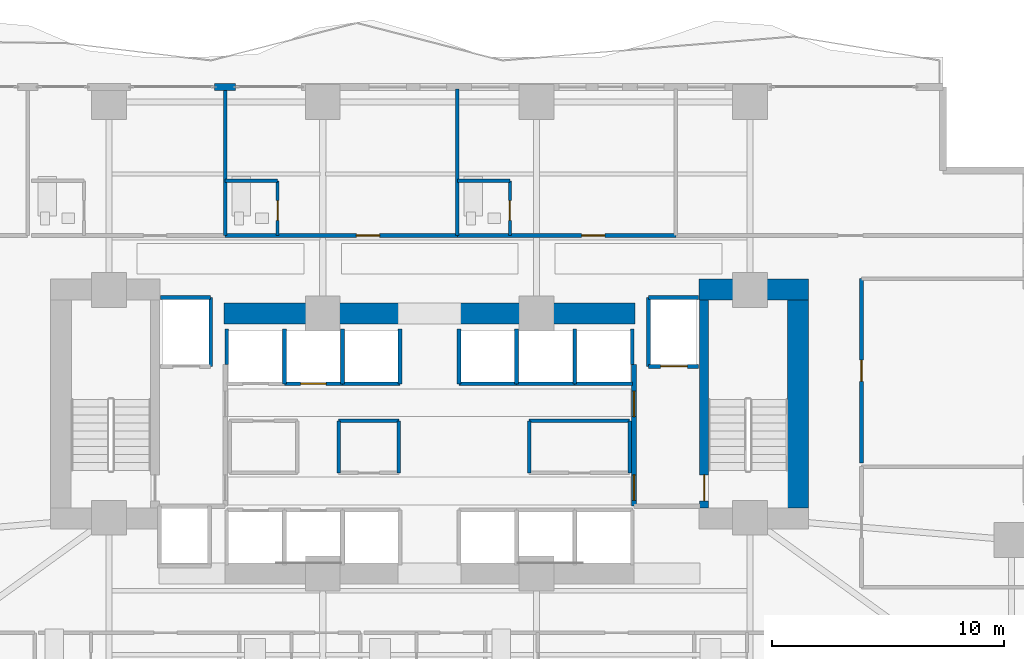
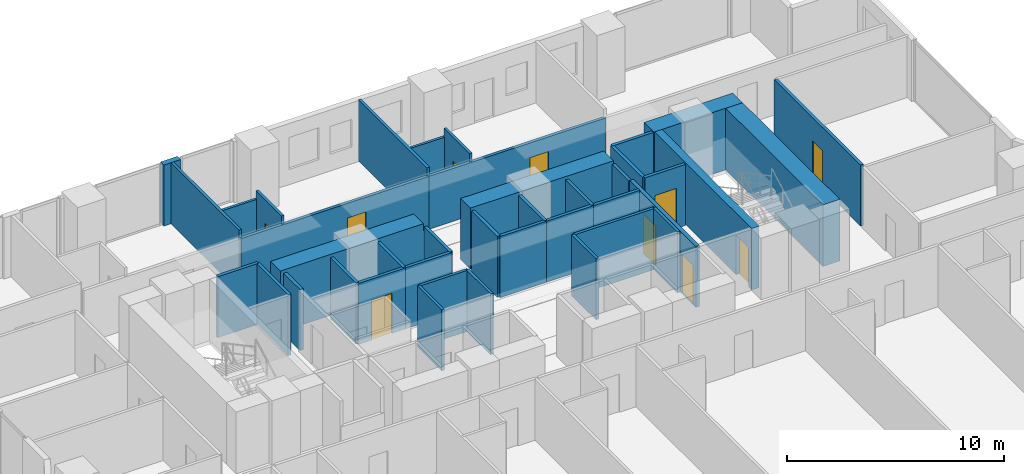
# One storey, part 21 of 29: 40 walls, 10 doors, 10 openings.
"""IFC4 building model written with IfcOpenShell, lengths in metres."""

from ifc_helpers import new_model, si_unit, direction, frame, frame_2d, origin, place, context, subcontext, project, spatial, rectangle, extrude, material, layer, layer_set, type_object, element, fill, save


model = new_model("IFC4")

# Units and contexts
model_context = context("Model", 3, precision=1e-05, world=origin(), true_north=direction((0.0, 1.0)))
body_context = subcontext(model_context, "Body", "Model", "MODEL_VIEW")
ifc_project = project(units=[si_unit("LENGTHUNIT", "METRE"), si_unit("AREAUNIT", "SQUARE_METRE"), si_unit("VOLUMEUNIT", "CUBIC_METRE"), si_unit("PLANEANGLEUNIT", "RADIAN"), si_unit("MASSUNIT", "GRAM", prefix="KILO")], contexts=[model_context])

# Site, building, storey
site_placement = place(None, origin())
site = spatial("IfcSite", under=ifc_project, at=site_placement, CompositionType="ELEMENT")
building_placement = place(site_placement, origin())
building = spatial("IfcBuilding", under=site, at=building_placement, Name="Zuhayl Quay Hotel", CompositionType="ELEMENT")
storey_placement = place(building_placement, frame((0.0, 0.0, 42.199951171875)))
storey = spatial("IfcBuildingStorey", under=building, at=storey_placement, Name="L09", CompositionType="ELEMENT", Elevation=42.199951171875)

# Walls
ifc_material_1 = material(Name="Concrete C70/85", Category="concrete")
ifc_layer_1 = layer(ifc_material_1, 0.89990234375, Name="Concrete C70/85", Category="concrete")
ifc_layer_set_1 = layer_set([ifc_layer_1], Name="Concrete C70/85")
wall_type_1 = type_object("IfcWallType", Name="WL_CORE_900", PredefinedType="SHEAR", material=ifc_layer_set_1)
wall_1_placement = place(storey_placement, frame((11.60009765625, 14.3798828125, 0.0), z_axis=(0.0, 0.0, 1.0), x_axis=(1.0, 0.0, 0.0)))
element("IfcWall", 1, at=wall_1_placement, inside=storey, type_object=wall_type_1, Name="L09 Core Shear Wall CW_NE", PredefinedType="SHEAR", context=body_context, shape_type="SweptSolid", body=[
    extrude(rectangle(XDim=4.7099609375, YDim=0.89990234375, at=frame_2d((2.35498046875, 0.0))), origin(), (0.0, 0.0, 1.0), 3.4599609375),
])
wall_2_placement = place(storey_placement, frame((15.860107421875, 4.969970703125, 0.0), z_axis=(0.0, 0.0, 1.0), x_axis=(0.0, 1.0, 0.0)))
element("IfcWall", 2, at=wall_2_placement, inside=storey, type_object=wall_type_1, Name="L09 Core Shear Wall CW_E", PredefinedType="SHEAR", context=body_context, shape_type="SweptSolid", body=[
    extrude(rectangle(XDim=8.9599609375, YDim=0.89990234375, at=frame_2d((4.47998046875, 0.0))), origin(), (0.0, 0.0, 1.0), 3.4599609375),
])
for number, where, z_axis, x_axis, name in (
    (3, (-8.85009765625, 13.35009765625, 0.0), (0.0, 0.0, 1.0), (1.0, 0.0, 0.0), "L09 Core Shear Wall CW_NC_W"),
    (4, (1.25, 13.35009765625, 0.0), (0.0, 0.0, 1.0), (1.0, 0.0, 0.0), "L09 Core Shear Wall CW_NC_E"),
):
    element("IfcWall", number, at=place(storey_placement, frame(where, z_axis=z_axis, x_axis=x_axis)), inside=storey, type_object=wall_type_1, Name=name, PredefinedType="SHEAR", context=body_context, shape_type="SweptSolid", body=[
        extrude(rectangle(XDim=7.60009765625, YDim=0.89990234375, at=frame_2d((3.800048828125, 0.0))), origin(), (0.0, 0.0, 1.0), 3.429931640625),
    ])
ifc_material_2 = material(Name="Precast concrete C45/55", Category="concrete")
ifc_layer_2 = layer(ifc_material_2, 0.300048828125, Name="Precast concrete C45/55", Category="concrete")
ifc_layer_set_2 = layer_set([ifc_layer_2], Name="Precast concrete C45/55")
wall_type_2 = type_object("IfcWallType", Name="WL_EXT_300", PredefinedType="STANDARD", material=ifc_layer_set_2)
wall_3_placement = place(storey_placement, frame((-9.25, 23.10009765625, 0.0), z_axis=(0.0, 0.0, 1.0), x_axis=(1.0, 0.0, 0.0)))
element("IfcWall", 5, at=wall_3_placement, inside=storey, type_object=wall_type_2, Name="L09 Exterior Precast Wall ENV_L09_N_EW4", PredefinedType="STANDARD", context=body_context, shape_type="SweptSolid", body=[
    extrude(rectangle(XDim=0.89990234375, YDim=0.300048828125, at=frame_2d((0.449951171875, 0.0))), origin(), (0.0, 0.0, 1.0), 3.429931640625),
])
ifc_material_3 = material(Name="Acoustic Gypsum Partition STC-58")
ifc_layer_3 = layer(ifc_material_3, 0.14990234375, Name="Acoustic Gypsum Partition STC-58")
ifc_layer_set_3 = layer_set([ifc_layer_3], Name="Acoustic Gypsum Partition STC-58")
wall_type_3 = type_object("IfcWallType", Name="WL_PART_150", PredefinedType="PARTITIONING", material=ifc_layer_set_3)
wall_4_placement = place(storey_placement, frame((-3.909912109375, 8.719970703125, 0.0), z_axis=(0.0, 0.0, 1.0), x_axis=(1.0, 0.0, 0.0)))
element("IfcWall", 6, at=wall_4_placement, inside=storey, type_object=wall_type_3, Name="L09 Partition IW_L09_CORE_BC_N", PredefinedType="PARTITIONING", context=body_context, shape_type="SweptSolid", body=[
    extrude(rectangle(XDim=2.58984375, YDim=0.14990234375, at=frame_2d((1.294921875, 0.0))), origin(), (0.0, 0.0, 1.0), 3.429931640625),
])
for number, where, z_axis, x_axis, name in (
    (7, (-3.909912109375, 6.47998046875, 0.0), (0.0, 0.0, 1.0), (0.0, 1.0, 0.0), "L09 Partition IW_L09_CORE_BC_W"),
    (8, (-1.320068359375, 6.47998046875, 0.0), (0.0, 0.0, 1.0), (0.0, 1.0, 0.0), "L09 Partition IW_L09_CORE_BC_E"),
):
    element("IfcWall", number, at=place(storey_placement, frame(where, z_axis=z_axis, x_axis=x_axis)), inside=storey, type_object=wall_type_3, Name=name, PredefinedType="PARTITIONING", context=body_context, shape_type="SweptSolid", body=[
        extrude(rectangle(XDim=2.239990234375, YDim=0.14990234375, at=frame_2d((1.1201171875, 0.0))), origin(), (0.0, 0.0, 1.0), 3.429931640625),
    ])
wall_5_placement = place(storey_placement, frame((4.2900390625, 8.719970703125, 0.0), z_axis=(0.0, 0.0, 1.0), x_axis=(1.0, 0.0, 0.0)))
element("IfcWall", 9, at=wall_5_placement, inside=storey, type_object=wall_type_3, Name="L09 Partition IW_L09_CORE_VL_N", PredefinedType="PARTITIONING", context=body_context, shape_type="SweptSolid", body=[
    extrude(rectangle(XDim=4.320068359375, YDim=0.14990234375, at=frame_2d((2.16015625, 0.0))), origin(), (0.0, 0.0, 1.0), 3.429931640625),
])
for number, where, z_axis, x_axis, name in (
    (10, (4.2900390625, 6.47998046875, 0.0), (0.0, 0.0, 1.0), (0.0, 1.0, 0.0), "L09 Partition IW_L09_CORE_VL_W"),
    (11, (8.610107421875, 6.47998046875, 0.0), (0.0, 0.0, 1.0), (0.0, 1.0, 0.0), "L09 Partition IW_L09_CORE_VL_E"),
):
    element("IfcWall", number, at=place(storey_placement, frame(where, z_axis=z_axis, x_axis=x_axis)), inside=storey, type_object=wall_type_3, Name=name, PredefinedType="PARTITIONING", context=body_context, shape_type="SweptSolid", body=[
        extrude(rectangle(XDim=2.239990234375, YDim=0.14990234375, at=frame_2d((1.1201171875, 0.0))), origin(), (0.0, 0.0, 1.0), 3.429931640625),
    ])
for number, where, z_axis, x_axis, name in (
    (12, (-8.800048828125, 16.699951171875, 0.0), (0.0, 0.0, 1.0), (0.0, 1.0, 0.0), "L09 Partition IW_L09_NU01B_E"),
    (13, (1.199951171875, 16.699951171875, 0.0), (0.0, 0.0, 1.0), (0.0, 1.0, 0.0), "L09 Partition IW_L09_NU02_E"),
):
    element("IfcWall", number, at=place(storey_placement, frame(where, z_axis=z_axis, x_axis=x_axis)), inside=storey, type_object=wall_type_3, Name=name, PredefinedType="PARTITIONING", context=body_context, shape_type="SweptSolid", body=[
        extrude(rectangle(XDim=6.320068359375, YDim=0.14990234375, at=frame_2d((3.16015625, 0.0))), origin(), (0.0, 0.0, 1.0), 3.429931640625),
    ])

# Wall, opening, door
ifc_layer_4 = layer(ifc_material_3, 0.159912109375, Name="Acoustic Gypsum Partition STC-58")
ifc_layer_set_4 = layer_set([ifc_layer_4], Name="Acoustic Gypsum Partition STC-58")
wall_type_4 = type_object("IfcWallType", Name="WL_PART_CORR_160", PredefinedType="PARTITIONING", material=ifc_layer_set_4)
wall_6_placement = place(storey_placement, frame((-8.800048828125, 16.699951171875, 0.0), z_axis=(0.0, 0.0, 1.0), x_axis=(1.0, 0.0, 0.0)))
wall_6 = element("IfcWall", 14, at=wall_6_placement, inside=storey, type_object=wall_type_4, Name="L09 Partition IW_L09_NU02_COR", PredefinedType="PARTITIONING", context=body_context, shape_type="SweptSolid", body=[
    extrude(rectangle(XDim=10.0, YDim=0.159912109375, at=frame_2d((5.0, 0.0))), origin(), (0.0, 0.0, 1.0), 2.97314453125),
])
opening_1_placement = place(wall_6_placement, frame((5.64990234375, 0.0, 0.0)))
opening_1 = element("IfcOpeningElement", 15, at=opening_1_placement, cuts=wall_6, Name="Opening D03L", PredefinedType="OPENING", context=body_context, shape_type="SweptSolid", body=[
    extrude(rectangle(XDim=1.0, YDim=2.14990234375, at=frame_2d((0.5, 1.074951171875))), frame((0.0, 0.08984375, 0.0), z_axis=(0.0, -1.0, 0.0), x_axis=(1.0, 0.0, 0.0)), (0.0, 0.0, 1.0), 0.179931640625),
])
ifc_material_4 = material(Name="Solid Walnut Acoustic Fire Door")
door_type_1 = type_object("IfcDoorType", Name="DR_SUITE_1000", OperationType="NOTDEFINED", PredefinedType="DOOR", material=ifc_material_4)
door_1_placement = place(opening_1_placement, origin())
door_1 = element("IfcDoor", 16, at=door_1_placement, inside=storey, type_object=door_type_1, Name="L09 Deluxe Gulf Guest Room L09-02 Entrance Door", OperationType="SINGLE_SWING_RIGHT", OverallHeight=2.14990234375, OverallWidth=1.0, PredefinedType="DOOR", context=body_context, shape_type="SweptSolid", body=[
    extrude(rectangle(XDim=1.0, YDim=2.14990234375, at=frame_2d((0.5, 1.074951171875))), frame((0.0, 0.02490234375, 0.0), z_axis=(0.0, -1.0, 0.0), x_axis=(1.0, 0.0, 0.0)), (0.0, 0.0, 1.0), 0.050048828125),
])
fill(opening_1, door_1)

wall_7_placement = place(storey_placement, frame((1.199951171875, 16.699951171875, 0.0), z_axis=(0.0, 0.0, 1.0), x_axis=(1.0, 0.0, 0.0)))
wall_7 = element("IfcWall", 17, at=wall_7_placement, inside=storey, type_object=wall_type_4, Name="L09 Partition IW_L09_NU03_COR", PredefinedType="PARTITIONING", context=body_context, shape_type="SweptSolid", body=[
    extrude(rectangle(XDim=9.400146484375, YDim=0.159912109375, at=frame_2d((4.7001953125, 0.0))), origin(), (0.0, 0.0, 1.0), 2.97314453125),
])
opening_2_placement = place(wall_7_placement, frame((5.35009765625, 0.0, 0.0)))
opening_2 = element("IfcOpeningElement", 18, at=opening_2_placement, cuts=wall_7, Name="Opening D03L", PredefinedType="OPENING", context=body_context, shape_type="SweptSolid", body=[
    extrude(rectangle(XDim=1.0, YDim=2.14990234375, at=frame_2d((0.5, 1.074951171875))), frame((0.0, 0.08984375, 0.0), z_axis=(0.0, -1.0, 0.0), x_axis=(1.0, 0.0, 0.0)), (0.0, 0.0, 1.0), 0.179931640625),
])
door_2_placement = place(opening_2_placement, origin())
door_2 = element("IfcDoor", 19, at=door_2_placement, inside=storey, type_object=door_type_1, Name="L09 Deluxe Gulf Guest Room L09-03 Entrance Door", OperationType="SINGLE_SWING_RIGHT", OverallHeight=2.14990234375, OverallWidth=1.0, PredefinedType="DOOR", context=body_context, shape_type="SweptSolid", body=[
    extrude(rectangle(XDim=1.0, YDim=2.14990234375, at=frame_2d((0.5, 1.074951171875))), frame((0.0, 0.02490234375, 0.0), z_axis=(0.0, -1.0, 0.0), x_axis=(1.0, 0.0, 0.0)), (0.0, 0.0, 1.0), 0.050048828125),
])
fill(opening_2, door_2)

wall_8_placement = place(storey_placement, frame((18.60009765625, 6.909912109375, 0.0), z_axis=(0.0, 0.0, 1.0), x_axis=(0.0, 1.0, 0.0)))
wall_8 = element("IfcWall", 20, at=wall_8_placement, inside=storey, type_object=wall_type_4, Name="L09 Partition IW_L09_EFLK_2_W", PredefinedType="PARTITIONING", context=body_context, shape_type="SweptSolid", body=[
    extrude(rectangle(XDim=7.940185546875, YDim=0.159912109375, at=frame_2d((3.97021484375, 0.0))), origin(), (0.0, 0.0, 1.0), 3.429931640625),
])
opening_3_placement = place(wall_8_placement, frame((3.510009765625, 0.0, 0.0)))
opening_3 = element("IfcOpeningElement", 21, at=opening_3_placement, cuts=wall_8, Name="Opening D05", PredefinedType="OPENING", context=body_context, shape_type="SweptSolid", body=[
    extrude(rectangle(XDim=0.919921875, YDim=2.1201171875, at=frame_2d((0.4599609375, 1.06005859375))), frame((0.0, 0.08984375, 0.0), z_axis=(0.0, -1.0, 0.0), x_axis=(1.0, 0.0, 0.0)), (0.0, 0.0, 1.0), 0.179931640625),
])
door_type_2 = type_object("IfcDoorType", Name="DR_INT_950", OperationType="NOTDEFINED", PredefinedType="DOOR", material=ifc_material_4)
door_3_placement = place(opening_3_placement, origin())
door_3 = element("IfcDoor", 22, at=door_3_placement, inside=storey, type_object=door_type_2, Name="L09 East Prow Reading Lounge L09 Door", OperationType="SINGLE_SWING_LEFT", OverallHeight=2.1201171875, OverallWidth=0.919921875, PredefinedType="DOOR", context=body_context, shape_type="SweptSolid", body=[
    extrude(rectangle(XDim=0.919921875, YDim=2.1201171875, at=frame_2d((0.4599609375, 1.06005859375))), frame((0.0, 0.02490234375, 0.0), z_axis=(0.0, -1.0, 0.0), x_axis=(1.0, 0.0, 0.0)), (0.0, 0.0, 1.0), 0.050048828125),
])
fill(opening_3, door_3)

ifc_material_5 = material(Name="Moisture-Resistant Sanitarychase Gypsum")
ifc_layer_5 = layer(ifc_material_5, 0.135009765625, Name="Moisture-Resistant Sanitarychase Gypsum")
ifc_layer_set_5 = layer_set([ifc_layer_5], Name="Moisture-Resistant Sanitarychase Gypsum")
wall_type_5 = type_object("IfcWallType", Name="WL_PART_PLUMB_150", PredefinedType="PLUMBINGWALL", material=ifc_layer_set_5)
wall_9_placement = place(storey_placement, frame((-6.5400390625, 16.699951171875, 0.0), z_axis=(0.0, 0.0, 1.0), x_axis=(0.0, 1.0, 0.0)))
wall_9 = element("IfcWall", 23, at=wall_9_placement, inside=storey, type_object=wall_type_5, Name="L09 Partition IW_L09_NU02_BE", PredefinedType="PLUMBINGWALL", context=body_context, shape_type="SweptSolid", body=[
    extrude(rectangle(XDim=2.360107421875, YDim=0.135009765625, at=frame_2d((1.18017578125, 0.0))), origin(), (0.0, 0.0, 1.0), 3.429931640625),
])
opening_4_placement = place(wall_9_placement, frame((0.64990234375, 0.0, 0.0)))
opening_4 = element("IfcOpeningElement", 24, at=opening_4_placement, cuts=wall_9, Name="Opening D04", PredefinedType="OPENING", context=body_context, shape_type="SweptSolid", body=[
    extrude(rectangle(XDim=0.85009765625, YDim=2.10009765625, at=frame_2d((0.425048828125, 1.050048828125))), frame((0.0, 0.077392578125, 0.0), z_axis=(0.0, -1.0, 0.0), x_axis=(1.0, 0.0, 0.0)), (0.0, 0.0, 1.0), 0.155029296875),
])
ifc_material_6 = material(Name="Moisture-Resistant Walnut Veneer")
door_type_3 = type_object("IfcDoorType", Name="DR_BATH_850", OperationType="NOTDEFINED", PredefinedType="DOOR", material=ifc_material_6)
door_4_placement = place(opening_4_placement, origin())
door_4 = element("IfcDoor", 25, at=door_4_placement, inside=storey, type_object=door_type_3, Name="L09 Deluxe Gulf Guest Room L09-02 En-Suite Door", OperationType="SINGLE_SWING_LEFT", OverallHeight=2.10009765625, OverallWidth=0.85009765625, PredefinedType="DOOR", context=body_context, shape_type="SweptSolid", body=[
    extrude(rectangle(XDim=0.85009765625, YDim=2.10009765625, at=frame_2d((0.425048828125, 1.050048828125))), frame((0.0, 0.02490234375, 0.0), z_axis=(0.0, -1.0, 0.0), x_axis=(1.0, 0.0, 0.0)), (0.0, 0.0, 1.0), 0.050048828125),
])
fill(opening_4, door_4)

wall_10_placement = place(storey_placement, frame((3.4599609375, 16.699951171875, 0.0), z_axis=(0.0, 0.0, 1.0), x_axis=(0.0, 1.0, 0.0)))
wall_10 = element("IfcWall", 26, at=wall_10_placement, inside=storey, type_object=wall_type_5, Name="L09 Partition IW_L09_NU03_BE", PredefinedType="PLUMBINGWALL", context=body_context, shape_type="SweptSolid", body=[
    extrude(rectangle(XDim=2.360107421875, YDim=0.135009765625, at=frame_2d((1.18017578125, 0.0))), origin(), (0.0, 0.0, 1.0), 3.429931640625),
])
opening_5_placement = place(wall_10_placement, frame((0.64990234375, 0.0, 0.0)))
opening_5 = element("IfcOpeningElement", 27, at=opening_5_placement, cuts=wall_10, Name="Opening D04", PredefinedType="OPENING", context=body_context, shape_type="SweptSolid", body=[
    extrude(rectangle(XDim=0.85009765625, YDim=2.10009765625, at=frame_2d((0.425048828125, 1.050048828125))), frame((0.0, 0.077392578125, 0.0), z_axis=(0.0, -1.0, 0.0), x_axis=(1.0, 0.0, 0.0)), (0.0, 0.0, 1.0), 0.155029296875),
])
door_5_placement = place(opening_5_placement, origin())
door_5 = element("IfcDoor", 28, at=door_5_placement, inside=storey, type_object=door_type_3, Name="L09 Deluxe Gulf Guest Room L09-03 En-Suite Door", OperationType="SINGLE_SWING_LEFT", OverallHeight=2.10009765625, OverallWidth=0.85009765625, PredefinedType="DOOR", context=body_context, shape_type="SweptSolid", body=[
    extrude(rectangle(XDim=0.85009765625, YDim=2.10009765625, at=frame_2d((0.425048828125, 1.050048828125))), frame((0.0, 0.02490234375, 0.0), z_axis=(0.0, -1.0, 0.0), x_axis=(1.0, 0.0, 0.0)), (0.0, 0.0, 1.0), 0.050048828125),
])
fill(opening_5, door_5)

# Walls
for number, where, z_axis, x_axis, name in (
    (29, (-8.800048828125, 19.06005859375, 0.0), (0.0, 0.0, 1.0), (1.0, 0.0, 0.0), "L09 Partition IW_L09_NU02_BN"),
    (30, (1.199951171875, 19.06005859375, 0.0), (0.0, 0.0, 1.0), (1.0, 0.0, 0.0), "L09 Partition IW_L09_NU03_BN"),
):
    element("IfcWall", number, at=place(storey_placement, frame(where, z_axis=z_axis, x_axis=x_axis)), inside=storey, type_object=wall_type_5, Name=name, PredefinedType="PLUMBINGWALL", context=body_context, shape_type="SweptSolid", body=[
        extrude(rectangle(XDim=2.260009765625, YDim=0.135009765625, at=frame_2d((1.1298828125, 0.0))), origin(), (0.0, 0.0, 1.0), 2.97314453125),
    ])

# Wall, opening, door
ifc_material_7 = material(Name="Gypsum Fireboard Assembly EI-90")
ifc_layer_6 = layer(ifc_material_7, 0.1650390625, Name="Gypsum Fireboard Assembly EI-90")
ifc_layer_set_6 = layer_set([ifc_layer_6], Name="Gypsum Fireboard Assembly EI-90")
wall_type_6 = type_object("IfcWallType", Name="WL_PART_SHAFT_160", PredefinedType="PARTITIONING", material=ifc_layer_set_6)
wall_11_placement = place(storey_placement, frame((9.419921875, 11.070068359375, 0.0), z_axis=(0.0, 0.0, 1.0), x_axis=(1.0, 0.0, 0.0)))
wall_11 = element("IfcWall", 31, at=wall_11_placement, inside=storey, type_object=wall_type_6, Name="L09 Partition IW_L09_SH_FL2_F", PredefinedType="PARTITIONING", context=body_context, shape_type="SweptSolid", body=[
    extrude(rectangle(XDim=2.16015625, YDim=0.1650390625, at=frame_2d((1.080078125, 0.0))), origin(), (0.0, 0.0, 1.0), 3.429931640625),
])
opening_6_placement = place(wall_11_placement, frame((0.530029296875, 0.0, 0.0)))
opening_6 = element("IfcOpeningElement", 32, at=opening_6_placement, cuts=wall_11, Name="Opening LD2", PredefinedType="OPENING", context=body_context, shape_type="SweptSolid", body=[
    extrude(rectangle(XDim=1.14990234375, YDim=2.25, at=frame_2d((0.574951171875, 1.125))), frame((0.0, 0.092529296875, 0.0), z_axis=(0.0, -1.0, 0.0), x_axis=(1.0, 0.0, 0.0)), (0.0, 0.0, 1.0), 0.18505859375),
])
ifc_material_8 = material(Name="Brushed Stainless Steel", Category="steel")
door_type_4 = type_object("IfcDoorType", Name="DR_LIFT_FF_1100", OperationType="SLIDING_TO_LEFT", PredefinedType="DOOR", material=ifc_material_8)
door_6_placement = place(opening_6_placement, origin())
door_6 = element("IfcDoor", 33, at=door_6_placement, inside=storey, type_object=door_type_4, Name="L09 Lift FL2 Sliding Landing Door", OperationType="SLIDING_TO_LEFT", OverallHeight=2.25, OverallWidth=1.14990234375, PredefinedType="DOOR", context=body_context, shape_type="SweptSolid", body=[
    extrude(rectangle(XDim=1.14990234375, YDim=2.25, at=frame_2d((0.574951171875, 1.125))), frame((0.0, 0.02490234375, 0.0), z_axis=(0.0, -1.0, 0.0), x_axis=(1.0, 0.0, 0.0)), (0.0, 0.0, 1.0), 0.050048828125),
])
fill(opening_6, door_6)

wall_12_placement = place(storey_placement, frame((-6.25, 10.320068359375, 0.0), z_axis=(0.0, 0.0, 1.0), x_axis=(1.0, 0.0, 0.0)))
wall_12 = element("IfcWall", 34, at=wall_12_placement, inside=storey, type_object=wall_type_6, Name="L09 Partition IW_L09_SH_LP4_F", PredefinedType="PARTITIONING", context=body_context, shape_type="SweptSolid", body=[
    extrude(rectangle(XDim=2.5, YDim=0.1650390625, at=frame_2d((1.25, 0.0))), origin(), (0.0, 0.0, 1.0), 3.429931640625),
])
opening_7_placement = place(wall_12_placement, frame((0.699951171875, 0.0, 0.0)))
opening_7 = element("IfcOpeningElement", 35, at=opening_7_placement, cuts=wall_12, Name="Opening LD1", PredefinedType="OPENING", context=body_context, shape_type="SweptSolid", body=[
    extrude(rectangle(XDim=1.10009765625, YDim=2.25, at=frame_2d((0.550048828125, 1.125))), frame((0.0, 0.092529296875, 0.0), z_axis=(0.0, -1.0, 0.0), x_axis=(1.0, 0.0, 0.0)), (0.0, 0.0, 1.0), 0.18505859375),
])
door_type_5 = type_object("IfcDoorType", Name="DR_LIFT_PASS_1100", OperationType="SLIDING_TO_LEFT", PredefinedType="DOOR", material=ifc_material_8)
door_7_placement = place(opening_7_placement, origin())
door_7 = element("IfcDoor", 36, at=door_7_placement, inside=storey, type_object=door_type_5, Name="L09 Lift LP4 Sliding Landing Door", OperationType="SLIDING_TO_LEFT", OverallHeight=2.25, OverallWidth=1.10009765625, PredefinedType="DOOR", context=body_context, shape_type="SweptSolid", body=[
    extrude(rectangle(XDim=1.10009765625, YDim=2.25, at=frame_2d((0.550048828125, 1.125))), frame((0.0, 0.02490234375, 0.0), z_axis=(0.0, -1.0, 0.0), x_axis=(1.0, 0.0, 0.0)), (0.0, 0.0, 1.0), 0.050048828125),
])
fill(opening_7, door_7)

# Walls
wall_13_placement = place(storey_placement, frame((-9.419921875, 11.070068359375, 0.0), z_axis=(0.0, 0.0, 1.0), x_axis=(0.0, 1.0, 0.0)))
element("IfcWall", 37, at=wall_13_placement, inside=storey, type_object=wall_type_6, Name="L09 Partition IW_L09_SH_FL1_E", PredefinedType="PARTITIONING", context=body_context, shape_type="SweptSolid", body=[
    extrude(rectangle(XDim=2.9599609375, YDim=0.1650390625, at=frame_2d((1.47998046875, 0.0))), origin(), (0.0, 0.0, 1.0), 3.429931640625),
])
wall_14_placement = place(storey_placement, frame((-11.580078125, 14.030029296875, 0.0), z_axis=(0.0, 0.0, 1.0), x_axis=(1.0, 0.0, 0.0)))
element("IfcWall", 38, at=wall_14_placement, inside=storey, type_object=wall_type_6, Name="L09 Partition IW_L09_SH_FL1_B", PredefinedType="PARTITIONING", context=body_context, shape_type="SweptSolid", body=[
    extrude(rectangle(XDim=2.16015625, YDim=0.1650390625, at=frame_2d((1.080078125, 0.0))), origin(), (0.0, 0.0, 1.0), 3.429931640625),
])
wall_15_placement = place(storey_placement, frame((9.419921875, 11.070068359375, 0.0), z_axis=(0.0, 0.0, 1.0), x_axis=(0.0, 1.0, 0.0)))
element("IfcWall", 39, at=wall_15_placement, inside=storey, type_object=wall_type_6, Name="L09 Partition IW_L09_SH_FL2_W", PredefinedType="PARTITIONING", context=body_context, shape_type="SweptSolid", body=[
    extrude(rectangle(XDim=2.9599609375, YDim=0.1650390625, at=frame_2d((1.47998046875, 0.0))), origin(), (0.0, 0.0, 1.0), 3.429931640625),
])
wall_16_placement = place(storey_placement, frame((9.419921875, 14.030029296875, 0.0), z_axis=(0.0, 0.0, 1.0), x_axis=(1.0, 0.0, 0.0)))
element("IfcWall", 40, at=wall_16_placement, inside=storey, type_object=wall_type_6, Name="L09 Partition IW_L09_SH_FL2_B", PredefinedType="PARTITIONING", context=body_context, shape_type="SweptSolid", body=[
    extrude(rectangle(XDim=2.16015625, YDim=0.1650390625, at=frame_2d((1.080078125, 0.0))), origin(), (0.0, 0.0, 1.0), 3.429931640625),
])
wall_17_placement = place(storey_placement, frame((-8.72998046875, 11.14990234375, 0.0), z_axis=(0.0, 0.0, 1.0), x_axis=(0.0, 1.0, 0.0)))
element("IfcWall", 41, at=wall_17_placement, inside=storey, type_object=wall_type_6, Name="L09 Partition IW_L09_SH_LP3_W", PredefinedType="PARTITIONING", context=body_context, shape_type="SweptSolid", body=[
    extrude(rectangle(XDim=1.530029296875, YDim=0.1650390625, at=frame_2d((0.76513671875, 0.0))), origin(), (0.0, 0.0, 1.0), 3.429931640625),
])
for number, where, z_axis, x_axis, name in (
    (42, (-6.25, 10.320068359375, 0.0), (0.0, 0.0, 1.0), (0.0, 1.0, 0.0), "L09 Partition IW_L09_SH_LP3_E"),
    (43, (-3.75, 10.320068359375, 0.0), (0.0, 0.0, 1.0), (0.0, 1.0, 0.0), "L09 Partition IW_L09_SH_LP4_E"),
):
    element("IfcWall", number, at=place(storey_placement, frame(where, z_axis=z_axis, x_axis=x_axis)), inside=storey, type_object=wall_type_6, Name=name, PredefinedType="PARTITIONING", context=body_context, shape_type="SweptSolid", body=[
        extrude(rectangle(XDim=2.35986328125, YDim=0.1650390625, at=frame_2d((1.179931640625, 0.0))), origin(), (0.0, 0.0, 1.0), 3.429931640625),
    ])
wall_18_placement = place(storey_placement, frame((-3.75, 10.320068359375, 0.0), z_axis=(0.0, 0.0, 1.0), x_axis=(1.0, 0.0, 0.0)))
element("IfcWall", 44, at=wall_18_placement, inside=storey, type_object=wall_type_6, Name="L09 Partition IW_L09_SH_MP3_F", PredefinedType="PARTITIONING", context=body_context, shape_type="SweptSolid", body=[
    extrude(rectangle(XDim=2.47998046875, YDim=0.1650390625, at=frame_2d((1.239990234375, 0.0))), origin(), (0.0, 0.0, 1.0), 3.429931640625),
])
wall_19_placement = place(storey_placement, frame((-1.27001953125, 10.320068359375, 0.0), z_axis=(0.0, 0.0, 1.0), x_axis=(0.0, 1.0, 0.0)))
element("IfcWall", 45, at=wall_19_placement, inside=storey, type_object=wall_type_6, Name="L09 Partition IW_L09_SH_MP3_E", PredefinedType="PARTITIONING", context=body_context, shape_type="SweptSolid", body=[
    extrude(rectangle(XDim=2.35986328125, YDim=0.1650390625, at=frame_2d((1.179931640625, 0.0))), origin(), (0.0, 0.0, 1.0), 3.429931640625),
])
wall_20_placement = place(storey_placement, frame((1.27001953125, 10.320068359375, 0.0), z_axis=(0.0, 0.0, 1.0), x_axis=(1.0, 0.0, 0.0)))
element("IfcWall", 46, at=wall_20_placement, inside=storey, type_object=wall_type_6, Name="L09 Partition IW_L09_SH_MP4_F", PredefinedType="PARTITIONING", context=body_context, shape_type="SweptSolid", body=[
    extrude(rectangle(XDim=2.47998046875, YDim=0.1650390625, at=frame_2d((1.239990234375, 0.0))), origin(), (0.0, 0.0, 1.0), 3.429931640625),
])
for number, where, z_axis, x_axis, name in (
    (47, (1.27001953125, 10.320068359375, 0.0), (0.0, 0.0, 1.0), (0.0, 1.0, 0.0), "L09 Partition IW_L09_SH_MP4_W"),
    (48, (3.75, 10.320068359375, 0.0), (0.0, 0.0, 1.0), (0.0, 1.0, 0.0), "L09 Partition IW_L09_SH_MP4_E"),
):
    element("IfcWall", number, at=place(storey_placement, frame(where, z_axis=z_axis, x_axis=x_axis)), inside=storey, type_object=wall_type_6, Name=name, PredefinedType="PARTITIONING", context=body_context, shape_type="SweptSolid", body=[
        extrude(rectangle(XDim=2.35986328125, YDim=0.1650390625, at=frame_2d((1.179931640625, 0.0))), origin(), (0.0, 0.0, 1.0), 3.429931640625),
    ])
wall_21_placement = place(storey_placement, frame((3.75, 10.320068359375, 0.0), z_axis=(0.0, 0.0, 1.0), x_axis=(1.0, 0.0, 0.0)))
element("IfcWall", 49, at=wall_21_placement, inside=storey, type_object=wall_type_6, Name="L09 Partition IW_L09_SH_HP3_F", PredefinedType="PARTITIONING", context=body_context, shape_type="SweptSolid", body=[
    extrude(rectangle(XDim=2.5, YDim=0.1650390625, at=frame_2d((1.25, 0.0))), origin(), (0.0, 0.0, 1.0), 3.429931640625),
])
wall_22_placement = place(storey_placement, frame((6.25, 10.320068359375, 0.0), z_axis=(0.0, 0.0, 1.0), x_axis=(0.0, 1.0, 0.0)))
element("IfcWall", 50, at=wall_22_placement, inside=storey, type_object=wall_type_6, Name="L09 Partition IW_L09_SH_HP3_E", PredefinedType="PARTITIONING", context=body_context, shape_type="SweptSolid", body=[
    extrude(rectangle(XDim=2.35986328125, YDim=0.1650390625, at=frame_2d((1.179931640625, 0.0))), origin(), (0.0, 0.0, 1.0), 3.429931640625),
])
wall_23_placement = place(storey_placement, frame((6.25, 10.320068359375, 0.0), z_axis=(0.0, 0.0, 1.0), x_axis=(1.0, 0.0, 0.0)))
element("IfcWall", 51, at=wall_23_placement, inside=storey, type_object=wall_type_6, Name="L09 Partition IW_L09_SH_HP4_F", PredefinedType="PARTITIONING", context=body_context, shape_type="SweptSolid", body=[
    extrude(rectangle(XDim=2.47998046875, YDim=0.1650390625, at=frame_2d((1.239990234375, 0.0))), origin(), (0.0, 0.0, 1.0), 3.429931640625),
])
wall_24_placement = place(storey_placement, frame((8.72998046875, 11.14990234375, 0.0), z_axis=(0.0, 0.0, 1.0), x_axis=(0.0, 1.0, 0.0)))
element("IfcWall", 52, at=wall_24_placement, inside=storey, type_object=wall_type_6, Name="L09 Partition IW_L09_SH_HP4_E", PredefinedType="PARTITIONING", context=body_context, shape_type="SweptSolid", body=[
    extrude(rectangle(XDim=1.530029296875, YDim=0.1650390625, at=frame_2d((0.76513671875, 0.0))), origin(), (0.0, 0.0, 1.0), 3.429931640625),
])

# Wall, openings, doors
ifc_material_9 = material(Name="Gypsum Fireboard Assembly EI-120")
ifc_layer_7 = layer(ifc_material_9, 0.199951171875, Name="Gypsum Fireboard Assembly EI-120")
ifc_layer_set_7 = layer_set([ifc_layer_7], Name="Gypsum Fireboard Assembly EI-120")
wall_type_7 = type_object("IfcWallType", Name="WL_PART_SHAFT_200", PredefinedType="PARTITIONING", material=ifc_layer_set_7)
wall_25_placement = place(storey_placement, frame((8.800048828125, 11.14990234375, 0.0), z_axis=(0.0, 0.0, 1.0), x_axis=(0.0, -1.0, 0.0)))
wall_25 = element("IfcWall", 53, at=wall_25_placement, inside=storey, type_object=wall_type_7, Name="L09 Partition IW_L09_FSAE_E_W", PredefinedType="PARTITIONING", context=body_context, shape_type="SweptSolid", body=[
    extrude(rectangle(XDim=6.099853515625, YDim=0.199951171875, at=frame_2d((3.0498046875, 0.0))), origin(), (0.0, 0.0, 1.0), 3.429931640625),
])
opening_8_placement = place(wall_25_placement, frame((1.14990234375, 0.0, 0.0)))
opening_8 = element("IfcOpeningElement", 54, at=opening_8_placement, cuts=wall_25, Name="Opening D02", PredefinedType="OPENING", context=body_context, shape_type="SweptSolid", body=[
    extrude(rectangle(XDim=1.10009765625, YDim=2.199951171875, at=frame_2d((0.550048828125, 1.10009765625))), frame((0.0, 0.10986328125, 0.0), z_axis=(0.0, -1.0, 0.0), x_axis=(1.0, 0.0, 0.0)), (0.0, 0.0, 1.0), 0.219970703125),
])
opening_9_placement = place(wall_25_placement, frame((4.75, 0.0, 0.0)))
opening_9 = element("IfcOpeningElement", 55, at=opening_9_placement, cuts=wall_25, Name="Opening D02", PredefinedType="OPENING", context=body_context, shape_type="SweptSolid", body=[
    extrude(rectangle(XDim=1.10009765625, YDim=2.199951171875, at=frame_2d((0.550048828125, 1.10009765625))), frame((0.0, 0.10986328125, 0.0), z_axis=(0.0, -1.0, 0.0), x_axis=(1.0, 0.0, 0.0)), (0.0, 0.0, 1.0), 0.219970703125),
])
ifc_material_10 = material(Name="Steel ASTM A992 Grade 50", Category="steel")
door_type_6 = type_object("IfcDoorType", Name="DR_FIRE_90_1100", OperationType="NOTDEFINED", PredefinedType="DOOR", material=ifc_material_10)
door_8_placement = place(opening_8_placement, origin())
door_8 = element("IfcDoor", 56, at=door_8_placement, inside=storey, type_object=door_type_6, Name="L09 FSAE Lobby East North Entry Door", OperationType="SINGLE_SWING_RIGHT", OverallHeight=2.199951171875, OverallWidth=1.10009765625, PredefinedType="DOOR", context=body_context, shape_type="SweptSolid", body=[
    extrude(rectangle(XDim=1.10009765625, YDim=2.199951171875, at=frame_2d((0.550048828125, 1.10009765625))), frame((0.0, 0.02490234375, 0.0), z_axis=(0.0, -1.0, 0.0), x_axis=(1.0, 0.0, 0.0)), (0.0, 0.0, 1.0), 0.050048828125),
])
fill(opening_8, door_8)
door_9_placement = place(opening_9_placement, origin())
door_9 = element("IfcDoor", 57, at=door_9_placement, inside=storey, type_object=door_type_6, Name="L09 FSAE Lobby East South Entry Door", OperationType="SINGLE_SWING_LEFT", OverallHeight=2.199951171875, OverallWidth=1.10009765625, PredefinedType="DOOR", context=body_context, shape_type="SweptSolid", body=[
    extrude(rectangle(XDim=1.10009765625, YDim=2.199951171875, at=frame_2d((0.550048828125, 1.10009765625))), frame((0.0, 0.02490234375, 0.0), z_axis=(0.0, -1.0, 0.0), x_axis=(1.0, 0.0, 0.0)), (0.0, 0.0, 1.0), 0.050048828125),
])
fill(opening_9, door_9)

# Wall, opening, door
ifc_material_11 = material(Name="Concrete C60/75", Category="concrete")
ifc_layer_8 = layer(ifc_material_11, 0.39990234375, Name="Concrete C60/75", Category="concrete")
ifc_layer_set_8 = layer_set([ifc_layer_8], Name="Concrete C60/75")
wall_type_8 = type_object("IfcWallType", Name="WL_STAIR_400", PredefinedType="SHEAR", material=ifc_layer_set_8)
wall_26_placement = place(storey_placement, frame((11.820068359375, 13.929931640625, 0.0), z_axis=(0.0, 0.0, 1.0), x_axis=(0.0, -1.0, 0.0)))
wall_26 = element("IfcWall", 58, at=wall_26_placement, inside=storey, type_object=wall_type_8, Name="L09 Core Shear Wall SW_ST2", PredefinedType="SHEAR", context=body_context, shape_type="SweptSolid", body=[
    extrude(rectangle(XDim=8.9599609375, YDim=0.39990234375, at=frame_2d((4.47998046875, 0.0))), origin(), (0.0, 0.0, 1.0), 3.4599609375),
])
opening_10_placement = place(wall_26_placement, frame((7.530029296875, 0.0, 0.0)))
opening_10 = element("IfcOpeningElement", 59, at=opening_10_placement, cuts=wall_26, Name="Opening D01", PredefinedType="OPENING", context=body_context, shape_type="SweptSolid", body=[
    extrude(rectangle(XDim=1.1201171875, YDim=2.219970703125, at=frame_2d((0.56005859375, 1.10986328125))), frame((0.0, 0.2099609375, 0.0), z_axis=(0.0, -1.0, 0.0), x_axis=(1.0, 0.0, 0.0)), (0.0, 0.0, 1.0), 0.419921875),
])
door_type_7 = type_object("IfcDoorType", Name="DR_STAIR_90_1100", OperationType="NOTDEFINED", PredefinedType="DOOR", material=ifc_material_10)
door_10_placement = place(opening_10_placement, origin())
door_10 = element("IfcDoor", 60, at=door_10_placement, inside=storey, type_object=door_type_7, Name="L09 Smokeproof Exit Stair ST2 Door", OperationType="SINGLE_SWING_RIGHT", OverallHeight=2.219970703125, OverallWidth=1.1201171875, PredefinedType="DOOR", context=body_context, shape_type="SweptSolid", body=[
    extrude(rectangle(XDim=1.1201171875, YDim=2.219970703125, at=frame_2d((0.56005859375, 1.10986328125))), frame((0.0, 0.02490234375, 0.0), z_axis=(0.0, -1.0, 0.0), x_axis=(1.0, 0.0, 0.0)), (0.0, 0.0, 1.0), 0.050048828125),
])
fill(opening_10, door_10)

save(model, "model.ifc")
